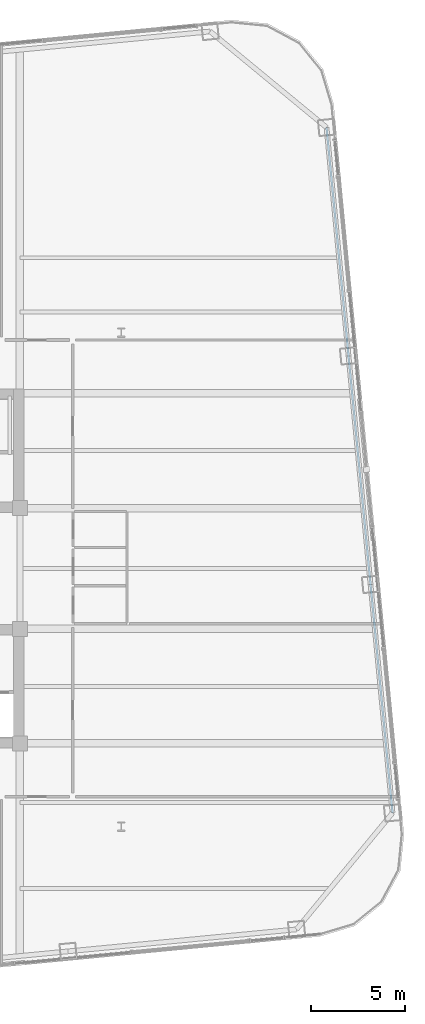
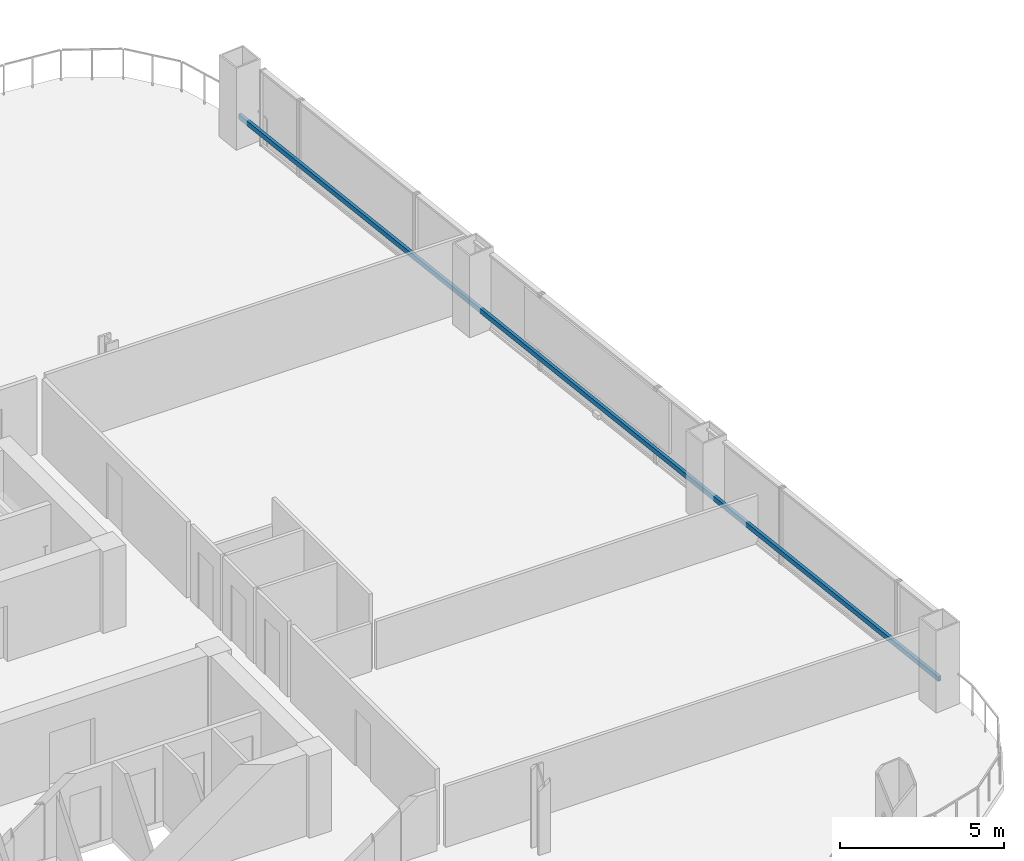
# One storey, part 18 of 34: 1 member.
"""IFC4 building model written with IfcOpenShell, lengths in metres."""

from ifc_helpers import new_model, si_unit, direction, frame, origin, origin_2d, place, context, subcontext, project, spatial, hollow_rectangle, extrude, material, material_profile, profile_set, type_object, element, save


model = new_model("IFC4")

# Units and contexts
model_context = context("Model", 3, precision=1e-05, world=origin(), true_north=direction((0.0, 1.0)))
body_context = subcontext(model_context, "Body", "Model", "MODEL_VIEW")
ifc_project = project(units=[si_unit("LENGTHUNIT", "METRE"), si_unit("AREAUNIT", "SQUARE_METRE"), si_unit("VOLUMEUNIT", "CUBIC_METRE"), si_unit("PLANEANGLEUNIT", "RADIAN"), si_unit("MASSUNIT", "GRAM", prefix="KILO")], contexts=[model_context])

# Site, building, storey
site_placement = place(None, origin())
site = spatial("IfcSite", under=ifc_project, at=site_placement, CompositionType="ELEMENT")
building_placement = place(site_placement, origin())
building = spatial("IfcBuilding", under=site, at=building_placement, Name="Qhalaya Broadcast Tower", CompositionType="ELEMENT")
storey_placement = place(building_placement, frame((0.0, 0.0, 78.60009765625)))
storey = spatial("IfcBuildingStorey", under=building, at=storey_placement, Name="L22", CompositionType="ELEMENT", Elevation=78.60009765625)

# Member
ifc_material = material(Name="Fired Architectural Terracotta", Category="masonry")
ifc_material_profile = material_profile(ifc_material, hollow_rectangle(XDim=0.110107421875, YDim=0.179931640625, WallThickness=0.01806640625, at=origin_2d()), Name="TB-BAG 110x180x18")
ifc_profile_set = profile_set([ifc_material_profile], Name="Fired Architectural Terracotta")
member_type = type_object("IfcMemberType", Name="Fired Terracotta Facade Baguette Member TB1", PredefinedType="USERDEFINED", material=ifc_profile_set)
member_placement = place(storey_placement, frame((29.29248046875, -12.46533203125, 0.848876953125), z_axis=(-0.095845013007, 0.995396269574, 0.0), x_axis=(-0.995396269574, -0.095845013007, 0.0)))
element("IfcMember", 1, at=member_placement, inside=storey, type_object=member_type, Name="L22 Terracotta Baguette Feature Rail E", ObjectType="BAGUETTE", PredefinedType="USERDEFINED", context=body_context, shape_type="SweptSolid", body=[
    extrude(hollow_rectangle(XDim=0.110107421875, YDim=0.179931640625, WallThickness=0.01806640625, at=origin_2d()), origin(), (0.0, 0.0, 1.0), 36.800048828125),
])

save(model, "model.ifc")
